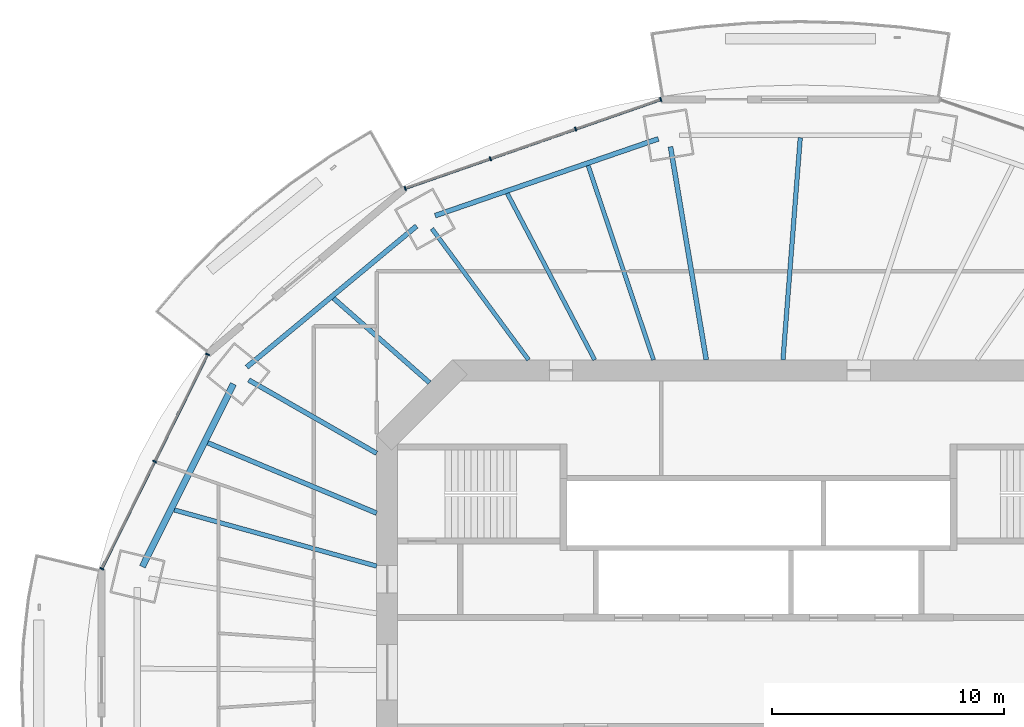
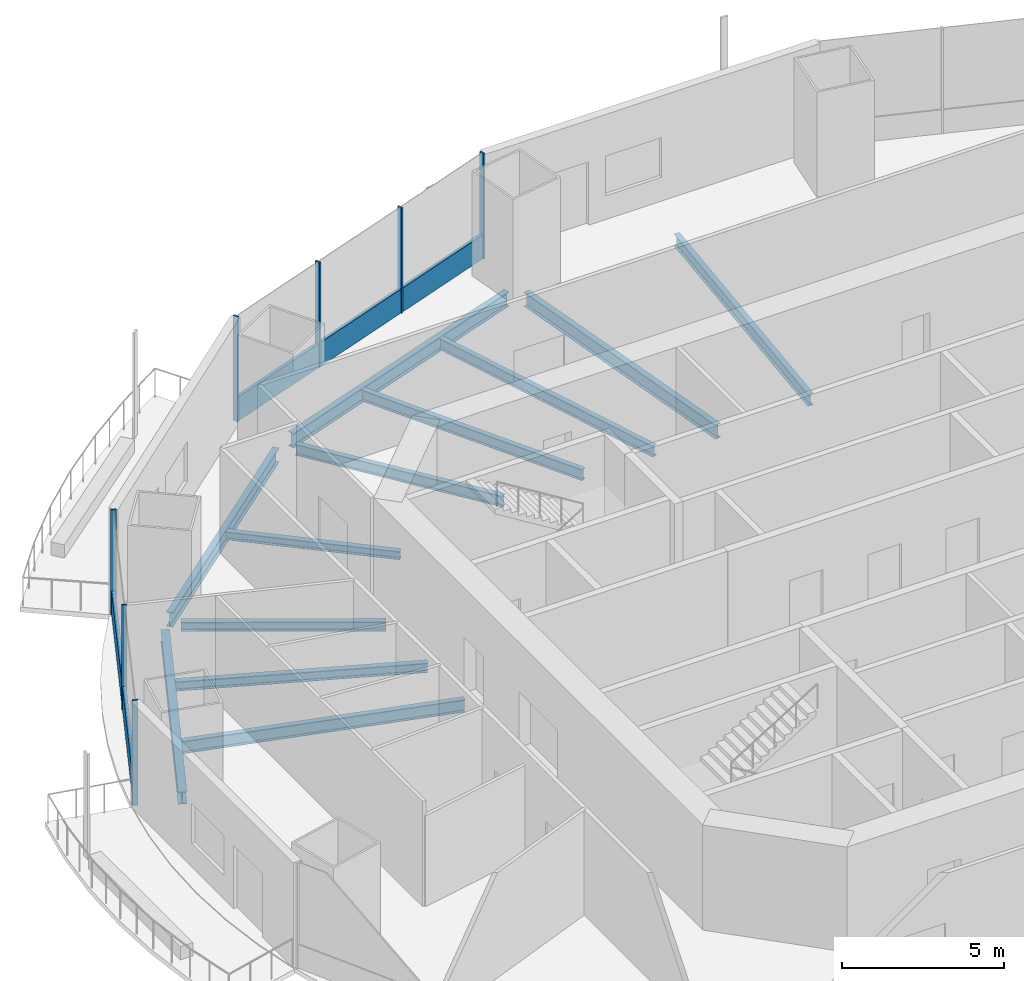
# One storey, part 6 of 19: 12 beams, 9 members, 2 elements without a shape of their own.
"""IFC4 building model written with IfcOpenShell, lengths in metres."""

from ifc_helpers import new_model, si_unit, direction, frame, origin, origin_2d, place, context, subcontext, project, spatial, rectangle, i_section, extrude, material, material_profile, profile_set, type_object, element, aggregate, save


model = new_model("IFC4")

# Units and contexts
model_context = context("Model", 3, precision=1e-05, world=origin(), true_north=direction((0.0, 1.0)))
body_context = subcontext(model_context, "Body", "Model", "MODEL_VIEW")
ifc_project = project(units=[si_unit("LENGTHUNIT", "METRE"), si_unit("AREAUNIT", "SQUARE_METRE"), si_unit("VOLUMEUNIT", "CUBIC_METRE"), si_unit("PLANEANGLEUNIT", "RADIAN"), si_unit("MASSUNIT", "GRAM", prefix="KILO")], contexts=[model_context])

# Site, building, storey
site_placement = place(None, origin())
site = spatial("IfcSite", under=ifc_project, at=site_placement, CompositionType="ELEMENT")
building_placement = place(site_placement, origin())
building = spatial("IfcBuilding", under=site, at=building_placement, Name="Marenthal Gate Tower", CompositionType="ELEMENT")
storey_placement = place(building_placement, frame((0.0, 0.0, 227.449951171875)))
storey = spatial("IfcBuildingStorey", under=building, at=storey_placement, Name="L50", CompositionType="ELEMENT", Elevation=227.449951171875)

# Curtain wall, members
ifc_material_1 = material(Name="Aluminium and glass", Category="aluminium")
curtain_wall_type = type_object("IfcCurtainWallType", Name="Curtain wall typical mid", PredefinedType="NOTDEFINED", material=ifc_material_1)
curtain_wall_1_placement = place(storey_placement, origin())
curtain_wall_1 = element("IfcCurtainWall", 1, at=curtain_wall_1_placement, inside=storey, type_object=curtain_wall_type, Name="Curtain wall L50 bay 5", PredefinedType="NOTDEFINED")
ifc_material_2 = material(Name="Aluminium", Category="aluminium")
ifc_material_profile_1 = material_profile(ifc_material_2, rectangle(XDim=0.179931640625, YDim=0.06005859375, at=origin_2d()), Name="60x180 aluminium mullion")
ifc_profile_set_1 = profile_set([ifc_material_profile_1], Name="Aluminium")
member_type_1 = type_object("IfcMemberType", Name="Mullion 60x180 typical mid", PredefinedType="MULLION", material=ifc_profile_set_1)
member_1_placement = place(storey_placement, frame((-4.21533203125, 24.66015625, 0.0), z_axis=(0.0, 0.0, 1.0), x_axis=(0.328467970612, -0.94451510961, 0.0)))
member_1 = element("IfcMember", 2, at=member_1_placement, type_object=member_type_1, Name="Mullion L50 bay 5.1", PredefinedType="MULLION", context=body_context, shape_type="SweptSolid", body=[
    extrude(rectangle(XDim=0.179931640625, YDim=0.06005859375, at=origin_2d()), origin(), (0.0, 0.0, 1.0), 3.969970703125),
])
member_2_placement = place(storey_placement, frame((-7.8837890625, 23.38427734375, 0.0), z_axis=(0.0, 0.0, 1.0), x_axis=(0.328467970612, -0.94451510961, 0.0)))
member_2 = element("IfcMember", 3, at=member_2_placement, type_object=member_type_1, Name="Mullion L50 bay 5.2", PredefinedType="MULLION", context=body_context, shape_type="SweptSolid", body=[
    extrude(rectangle(XDim=0.179931640625, YDim=0.06005859375, at=origin_2d()), origin(), (0.0, 0.0, 1.0), 3.969970703125),
])
member_3_placement = place(storey_placement, frame((-11.552490234375, 22.1083984375, 0.0), z_axis=(0.0, 0.0, 1.0), x_axis=(0.328467970612, -0.94451510961, 0.0)))
member_3 = element("IfcMember", 4, at=member_3_placement, type_object=member_type_1, Name="Mullion L50 bay 5.3", PredefinedType="MULLION", context=body_context, shape_type="SweptSolid", body=[
    extrude(rectangle(XDim=0.179931640625, YDim=0.06005859375, at=origin_2d()), origin(), (0.0, 0.0, 1.0), 3.969970703125),
])
member_4_placement = place(storey_placement, frame((-15.220947265625, 20.83251953125, 0.0), z_axis=(0.0, 0.0, 1.0), x_axis=(0.328467970612, -0.94451510961, 0.0)))
member_4 = element("IfcMember", 5, at=member_4_placement, type_object=member_type_1, Name="Mullion L50 bay 5.4", PredefinedType="MULLION", context=body_context, shape_type="SweptSolid", body=[
    extrude(rectangle(XDim=0.179931640625, YDim=0.06005859375, at=origin_2d()), origin(), (0.0, 0.0, 1.0), 3.969970703125),
])

curtain_wall_2_placement = place(storey_placement, origin())
curtain_wall_2 = element("IfcCurtainWall", 6, at=curtain_wall_2_placement, inside=storey, type_object=curtain_wall_type, Name="Curtain wall L50 bay 7", PredefinedType="NOTDEFINED")
member_5_placement = place(storey_placement, frame((-23.7294921875, 13.6875, 0.0), z_axis=(0.0, 0.0, 1.0), x_axis=(0.896797507361, -0.442441217329, 0.0)))
member_5 = element("IfcMember", 7, at=member_5_placement, type_object=member_type_1, Name="Mullion L50 bay 7.1", PredefinedType="MULLION", context=body_context, shape_type="SweptSolid", body=[
    extrude(rectangle(XDim=0.179931640625, YDim=0.06005859375, at=origin_2d()), origin(), (0.0, 0.0, 1.0), 3.969970703125),
])
member_6_placement = place(storey_placement, frame((-26.007080078125, 9.0703125, 0.0), z_axis=(0.0, 0.0, 1.0), x_axis=(0.896797507361, -0.442441217329, 0.0)))
member_6 = element("IfcMember", 8, at=member_6_placement, type_object=member_type_1, Name="Mullion L50 bay 7.2", PredefinedType="MULLION", context=body_context, shape_type="SweptSolid", body=[
    extrude(rectangle(XDim=0.179931640625, YDim=0.06005859375, at=origin_2d()), origin(), (0.0, 0.0, 1.0), 3.969970703125),
])
member_7_placement = place(storey_placement, frame((-28.284912109375, 4.453369140625, 0.0), z_axis=(0.0, 0.0, 1.0), x_axis=(0.896797507361, -0.442441217329, 0.0)))
member_7 = element("IfcMember", 9, at=member_7_placement, type_object=member_type_1, Name="Mullion L50 bay 7.3", PredefinedType="MULLION", context=body_context, shape_type="SweptSolid", body=[
    extrude(rectangle(XDim=0.179931640625, YDim=0.06005859375, at=origin_2d()), origin(), (0.0, 0.0, 1.0), 3.969970703125),
])

# Member
ifc_material_3 = material(Name="Aluminium", Category="aluminium")
ifc_material_profile_2 = material_profile(ifc_material_3, rectangle(XDim=0.1201171875, YDim=0.89990234375, at=origin_2d()), Name="120x900 aluminium transom")
ifc_profile_set_2 = profile_set([ifc_material_profile_2], Name="Aluminium")
member_type_2 = type_object("IfcMemberType", Name="Transom 120x900 typical mid", PredefinedType="USERDEFINED", material=ifc_profile_set_2)
member_8_placement = place(storey_placement, frame((-4.24365234375, 24.650146484375, 0.449951171875), z_axis=(-0.944516115654, -0.328465077703, 0.0), x_axis=(0.328465077703, -0.944516115654, 0.0)))
member_8 = element("IfcMember", 10, at=member_8_placement, type_object=member_type_2, Name="Transom L50 bay 5", ObjectType="TRANSOM", PredefinedType="USERDEFINED", context=body_context, shape_type="SweptSolid", body=[
    extrude(rectangle(XDim=0.1201171875, YDim=0.89990234375, at=origin_2d()), origin(), (0.0, 0.0, 1.0), 11.592041015625),
])

aggregate(curtain_wall_1, [member_1, member_2, member_3, member_4, member_8])

member_9_placement = place(storey_placement, frame((-23.74267578125, 13.660400390625, 0.449951171875), z_axis=(-0.442437279824, -0.896799449945, 0.0), x_axis=(0.896799449945, -0.442437279824, 0.0)))
member_9 = element("IfcMember", 11, at=member_9_placement, type_object=member_type_2, Name="Transom L50 bay 7", ObjectType="TRANSOM", PredefinedType="USERDEFINED", context=body_context, shape_type="SweptSolid", body=[
    extrude(rectangle(XDim=0.1201171875, YDim=0.89990234375, at=origin_2d()), origin(), (0.0, 0.0, 1.0), 10.236572265625),
])

aggregate(curtain_wall_2, [member_5, member_6, member_7, member_9])

# Beams
ifc_material_4 = material(Name="Steel S355", Category="steel")
ifc_material_profile_3 = material_profile(ifc_material_4, i_section(OverallWidth=0.202880859375, OverallDepth=0.302001953125, WebThickness=0.007568359375, FlangeThickness=0.01318359375, FilletRadius=0.0126953125, at=origin_2d()), Name="W310X60")
ifc_profile_set_3 = profile_set([ifc_material_profile_3], Name="Steel S355")
beam_type_1 = type_object("IfcBeamType", Name="W310X60 beam", PredefinedType="BEAM", material=ifc_profile_set_3)
beam_1_placement = place(storey_placement, frame((-18.306396484375, 16.101806640625, -0.3310546875), z_axis=(0.750879714516, -0.660438986075, 0.0), x_axis=(0.660438986075, 0.750879714516, 0.0)))
element("IfcBeam", 12, at=beam_1_placement, inside=storey, type_object=beam_type_1, Name="BM-L50-25", PredefinedType="BEAM", context=body_context, shape_type="SweptSolid", body=[
    extrude(i_section(OverallWidth=0.202880859375, OverallDepth=0.302001953125, WebThickness=0.007568359375, FlangeThickness=0.01318359375, FilletRadius=0.0126953125, at=origin_2d()), origin(), (0.0, 0.0, 1.0), 5.5068359375),
])
ifc_material_5 = material(Name="Steel S355", Category="steel")
ifc_material_profile_4 = material_profile(ifc_material_5, i_section(OverallWidth=0.205078125, OverallDepth=0.35302734375, WebThickness=0.009521484375, FlangeThickness=0.016845703125, FilletRadius=0.014892578125, at=origin_2d()), Name="W360X79")
ifc_profile_set_4 = profile_set([ifc_material_profile_4], Name="Steel S355")
beam_type_2 = type_object("IfcBeamType", Name="W360X79 beam", PredefinedType="BEAM", material=ifc_profile_set_4)
beam_2_placement = place(storey_placement, frame((-21.957763671875, 12.581787109375, -0.3564453125), z_axis=(0.867653207063, -0.497169902824, 0.0), x_axis=(0.497169902824, 0.867653207063, 0.0)))
element("IfcBeam", 13, at=beam_2_placement, inside=storey, type_object=beam_type_2, Name="BM-L50-07", PredefinedType="BEAM", context=body_context, shape_type="SweptSolid", body=[
    extrude(i_section(OverallWidth=0.205078125, OverallDepth=0.35302734375, WebThickness=0.009521484375, FlangeThickness=0.016845703125, FilletRadius=0.014892578125, at=origin_2d()), origin(), (0.0, 0.0, 1.0), 6.347900390625),
])
beam_3_placement = place(storey_placement, frame((-23.72216796875, 9.876708984375, -0.3564453125), z_axis=(0.92318966871, -0.384344683307, 0.0), x_axis=(0.384344683307, 0.92318966871, 0.0)))
element("IfcBeam", 14, at=beam_3_placement, inside=storey, type_object=beam_type_2, Name="BM-L50-26", PredefinedType="BEAM", context=body_context, shape_type="SweptSolid", body=[
    extrude(i_section(OverallWidth=0.205078125, OverallDepth=0.35302734375, WebThickness=0.009521484375, FlangeThickness=0.016845703125, FilletRadius=0.014892578125, at=origin_2d()), origin(), (0.0, 0.0, 1.0), 7.877197265625),
])
ifc_material_6 = material(Name="Steel S355", Category="steel")
ifc_material_profile_5 = material_profile(ifc_material_6, i_section(OverallWidth=0.180908203125, OverallDepth=0.4169921875, WebThickness=0.010986328125, FlangeThickness=0.018310546875, FilletRadius=0.01025390625, at=origin_2d()), Name="W410X85")
ifc_profile_set_5 = profile_set([ifc_material_profile_5], Name="Steel S355")
beam_type_3 = type_object("IfcBeamType", Name="W410X85 beam", PredefinedType="BEAM", material=ifc_profile_set_5)
beam_4_placement = place(storey_placement, frame((-14.070068359375, 19.099853515625, -0.388427734375), z_axis=(0.593108841301, -0.80512229032, 0.0), x_axis=(0.80512229032, 0.593108841301, 0.0)))
element("IfcBeam", 15, at=beam_4_placement, inside=storey, type_object=beam_type_3, Name="BM-L50-06", PredefinedType="BEAM", context=body_context, shape_type="SweptSolid", body=[
    extrude(i_section(OverallWidth=0.180908203125, OverallDepth=0.4169921875, WebThickness=0.010986328125, FlangeThickness=0.018310546875, FilletRadius=0.01025390625, at=origin_2d()), origin(), (0.0, 0.0, 1.0), 7.017333984375),
])
beam_5_placement = place(storey_placement, frame((-7.342529296875, 21.816162109375, -0.388427734375), z_axis=(0.318972820964, -0.947763862724, 0.0), x_axis=(0.947763862724, 0.318972820964, 0.0)))
element("IfcBeam", 16, at=beam_5_placement, inside=storey, type_object=beam_type_3, Name="BM-L50-23", PredefinedType="BEAM", context=body_context, shape_type="SweptSolid", body=[
    extrude(i_section(OverallWidth=0.180908203125, OverallDepth=0.4169921875, WebThickness=0.010986328125, FlangeThickness=0.018310546875, FilletRadius=0.01025390625, at=origin_2d()), origin(), (0.0, 0.0, 1.0), 8.827392578125),
])
beam_6_placement = place(storey_placement, frame((-10.82421875, 20.617919921875, -0.388427734375), z_axis=(0.46483389899, -0.885397902838, 0.0), x_axis=(0.885397902838, 0.46483389899, 0.0)))
element("IfcBeam", 17, at=beam_6_placement, inside=storey, type_object=beam_type_3, Name="BM-L50-24", PredefinedType="BEAM", context=body_context, shape_type="SweptSolid", body=[
    extrude(i_section(OverallWidth=0.180908203125, OverallDepth=0.4169921875, WebThickness=0.010986328125, FlangeThickness=0.018310546875, FilletRadius=0.01025390625, at=origin_2d()), origin(), (0.0, 0.0, 1.0), 8.095703125),
])
ifc_material_7 = material(Name="Steel S355", Category="steel")
ifc_material_profile_6 = material_profile(ifc_material_7, i_section(OverallWidth=0.279052734375, OverallDepth=0.4619140625, WebThickness=0.0107421875, FlangeThickness=0.017333984375, FilletRadius=0.010009765625, at=origin_2d()), Name="W460X113")
ifc_profile_set_6 = profile_set([ifc_material_profile_6], Name="Steel S355")
beam_type_4 = type_object("IfcBeamType", Name="W460X113 beam", PredefinedType="BEAM", material=ifc_profile_set_6)
beam_7_placement = place(storey_placement, frame((-22.613037109375, 12.413818359375, -0.410888671875), z_axis=(-0.446158339693, -0.894954041235, 0.0), x_axis=(0.894954041235, -0.446158339693, 0.0)))
element("IfcBeam", 18, at=beam_7_placement, inside=storey, type_object=beam_type_4, Name="BM-L50-47", PredefinedType="BEAM", context=body_context, shape_type="SweptSolid", body=[
    extrude(i_section(OverallWidth=0.279052734375, OverallDepth=0.4619140625, WebThickness=0.0107421875, FlangeThickness=0.017333984375, FilletRadius=0.010009765625, at=origin_2d()), origin(), (0.0, 0.0, 1.0), 8.794189453125),
])
ifc_material_8 = material(Name="Steel S355", Category="steel")
ifc_material_profile_7 = material_profile(ifc_material_8, i_section(OverallWidth=0.193115234375, OverallDepth=0.467041015625, WebThickness=0.011474609375, FlangeThickness=0.01904296875, FilletRadius=0.010009765625, at=origin_2d()), Name="W460X97")
ifc_profile_set_7 = profile_set([ifc_material_profile_7], Name="Steel S355")
beam_type_5 = type_object("IfcBeamType", Name="W460X97 beam", PredefinedType="BEAM", material=ifc_profile_set_7)
beam_8_placement = place(storey_placement, frame((1.791748046875, 23.014404296875, -0.413330078125), z_axis=(-0.077618911056, -0.996983101485, 0.0), x_axis=(0.996983101485, -0.077618911056, 0.0)))
element("IfcBeam", 19, at=beam_8_placement, inside=storey, type_object=beam_type_5, Name="BM-L50-22", PredefinedType="BEAM", context=body_context, shape_type="SweptSolid", body=[
    extrude(i_section(OverallWidth=0.193115234375, OverallDepth=0.467041015625, WebThickness=0.011474609375, FlangeThickness=0.01904296875, FilletRadius=0.010009765625, at=origin_2d()), origin(), (0.0, 0.0, 1.0), 9.593505859375),
])
beam_9_placement = place(storey_placement, frame((-25.1630859375, 6.986328125, -0.413330078125), z_axis=(0.96355000695, -0.267528286555, 0.0), x_axis=(0.267528286555, 0.96355000695, 0.0)))
element("IfcBeam", 20, at=beam_9_placement, inside=storey, type_object=beam_type_5, Name="BM-L50-27", PredefinedType="BEAM", context=body_context, shape_type="SweptSolid", body=[
    extrude(i_section(OverallWidth=0.193115234375, OverallDepth=0.467041015625, WebThickness=0.011474609375, FlangeThickness=0.01904296875, FilletRadius=0.010009765625, at=origin_2d()), origin(), (0.0, 0.0, 1.0), 9.042724609375),
])
ifc_material_9 = material(Name="Steel S355", Category="steel")
ifc_material_profile_8 = material_profile(ifc_material_9, i_section(OverallWidth=0.2099609375, OverallDepth=0.535888671875, WebThickness=0.010986328125, FlangeThickness=0.017333984375, FilletRadius=0.0126953125, at=origin_2d()), Name="W530X101")
ifc_profile_set_8 = profile_set([ifc_material_profile_8], Name="Steel S355")
beam_type_6 = type_object("IfcBeamType", Name="W530X101 beam", PredefinedType="BEAM", material=ifc_profile_set_8)
beam_10_placement = place(storey_placement, frame((-3.7958984375, 22.627197265625, -0.447998046875), z_axis=(0.165445506603, -0.986218933272, 0.0), x_axis=(0.986218933272, 0.165445506603, 0.0)))
element("IfcBeam", 21, at=beam_10_placement, inside=storey, type_object=beam_type_6, Name="BM-L50-05", PredefinedType="BEAM", context=body_context, shape_type="SweptSolid", body=[
    extrude(i_section(OverallWidth=0.2099609375, OverallDepth=0.535888671875, WebThickness=0.010986328125, FlangeThickness=0.017333984375, FilletRadius=0.0126953125, at=origin_2d()), origin(), (0.0, 0.0, 1.0), 9.305419921875),
])
ifc_material_10 = material(Name="Steel S355", Category="steel")
ifc_material_profile_9 = material_profile(ifc_material_10, i_section(OverallWidth=0.2119140625, OverallDepth=0.5439453125, WebThickness=0.01318359375, FlangeThickness=0.021240234375, FilletRadius=0.0126953125, at=origin_2d()), Name="W530X123")
ifc_profile_set_9 = profile_set([ifc_material_profile_9], Name="Steel S355")
beam_type_7 = type_object("IfcBeamType", Name="W530X123 beam", PredefinedType="BEAM", material=ifc_profile_set_9)
beam_11_placement = place(storey_placement, frame((-4.31689453125, 22.969482421875, -0.451904296875), z_axis=(-0.945567746604, -0.325425316443, 0.0), x_axis=(0.325425316443, -0.945567746604, 0.0)))
element("IfcBeam", 22, at=beam_11_placement, inside=storey, type_object=beam_type_7, Name="BM-L50-45", PredefinedType="BEAM", context=body_context, shape_type="SweptSolid", body=[
    extrude(i_section(OverallWidth=0.2119140625, OverallDepth=0.5439453125, WebThickness=0.01318359375, FlangeThickness=0.021240234375, FilletRadius=0.0126953125, at=origin_2d()), origin(), (0.0, 0.0, 1.0), 10.16845703125),
])
beam_12_placement = place(storey_placement, frame((-14.73046875, 19.210693359375, -0.451904296875), z_axis=(-0.769167841857, -0.639046814446, 0.0), x_axis=(0.639046814446, -0.769167841857, 0.0)))
element("IfcBeam", 23, at=beam_12_placement, inside=storey, type_object=beam_type_7, Name="BM-L50-46", PredefinedType="BEAM", context=body_context, shape_type="SweptSolid", body=[
    extrude(i_section(OverallWidth=0.2119140625, OverallDepth=0.5439453125, WebThickness=0.01318359375, FlangeThickness=0.021240234375, FilletRadius=0.0126953125, at=origin_2d()), origin(), (0.0, 0.0, 1.0), 9.505126953125),
])

save(model, "model.ifc")
